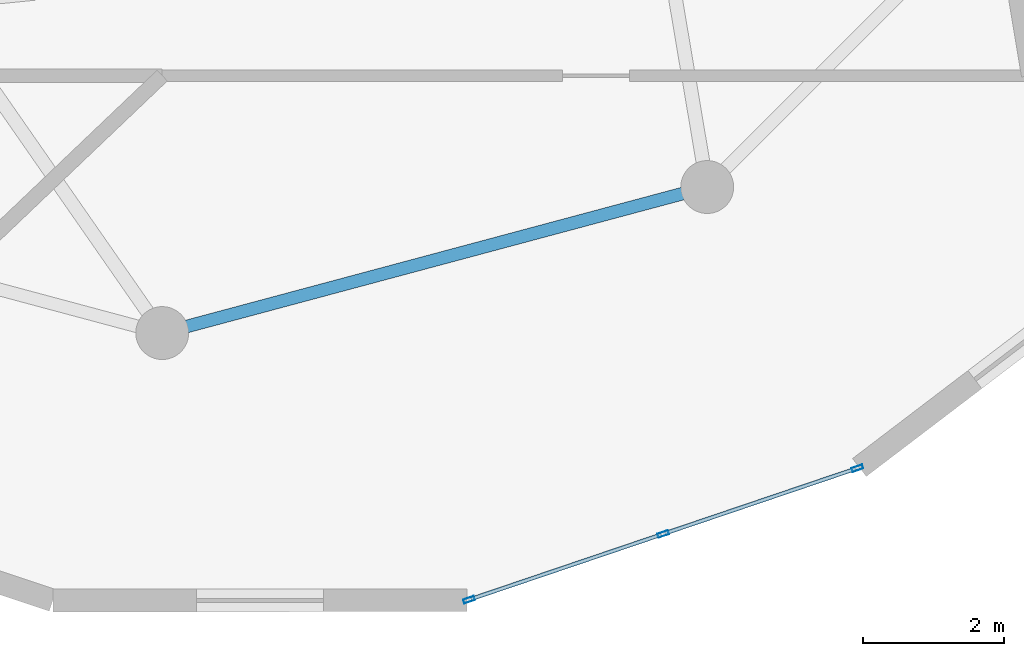
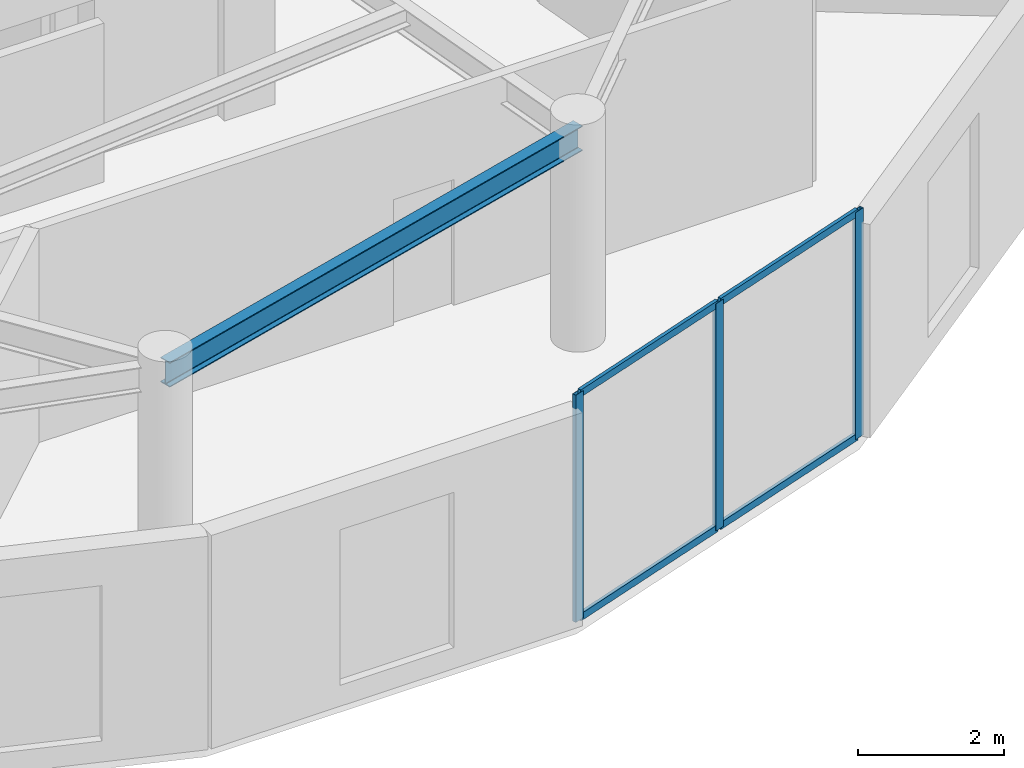
# One storey, part 4 of 18: 7 members, 1 beam, 1 element without a shape of its own.
"""IFC4 building model written with IfcOpenShell, lengths in metres."""

import ifcopenshell
import ifcopenshell.guid

model = None  # the IFC model being written
_history = None  # IfcOwnerHistory: only IFC2X3 demands one
_inside = {}  # id of a spatial element -> (the spatial element, [elements in it])
_under = {}  # id of a project, library or spatial element -> (it, [spatial elements below it])
_declared = {}  # id of a project -> (the project, [libraries it declares])
_typed = {}  # id of a type object -> (the type object, [elements of that type])
_made_of = {}  # id of a material, layer set ... -> (it, [elements and type objects made of it])


def new_model(schema):
    """Start an empty IFC model of exactly this schema.

    Asked for "IFC4X3", IfcOpenShell would pick the latest addendum, in which some entities
    have other attributes; the version numbers below select the first issue.
    IFC2X3 requires an IfcOwnerHistory on every rooted entity: one is made here for all.
    """
    global model, _history
    if schema == "IFC4X3":
        model = ifcopenshell.file(schema_version=(4, 3, 0, 0))
    else:
        model = ifcopenshell.file(schema=schema)
    _inside.clear()
    _under.clear()
    _declared.clear()
    _typed.clear()
    _made_of.clear()
    _history = None
    if model.schema == "IFC2X3":
        org = make("IfcOrganization", Name="unknown")
        user = make(
            "IfcPersonAndOrganization",
            ThePerson=make("IfcPerson", FamilyName="unknown"),
            TheOrganization=org,
        )
        app = make(
            "IfcApplication",
            ApplicationDeveloper=org,
            Version="unknown",
            ApplicationFullName="unknown",
            ApplicationIdentifier="unknown",
        )
        _history = make(
            "IfcOwnerHistory",
            OwningUser=user,
            OwningApplication=app,
            ChangeAction="ADDED",
            CreationDate=0,
        )
    return model


def make(cls, **values):
    """One entity of the class cls with the attributes given. An attribute that is None is left unset."""
    return model.create_entity(
        cls, **{name: value for name, value in values.items() if value is not None}
    )


def rooted(cls, **values):
    """An entity with a GlobalId (a new one), such as an element, a storey or a relation."""
    return make(cls, GlobalId=ifcopenshell.guid.new(), OwnerHistory=_history, **values)


def si_unit(unit_type, name, prefix=None):
    """IfcSIUnit, for example si_unit("LENGTHUNIT", "METRE", prefix="MILLI")."""
    return make("IfcSIUnit", UnitType=unit_type, Prefix=prefix, Name=name)


def assignment(units):
    """IfcUnitAssignment: the units of a project."""
    return None if units is None else make("IfcUnitAssignment", Units=units)


def point(xyz):
    """IfcCartesianPoint."""
    return None if xyz is None else make("IfcCartesianPoint", Coordinates=xyz)


def direction(xyz):
    """IfcDirection."""
    return None if xyz is None else make("IfcDirection", DirectionRatios=xyz)


def frame(location, z_axis=None, x_axis=None):
    """IfcAxis2Placement3D, a coordinate frame: its origin and axes. An axis left out is left unset."""
    return make(
        "IfcAxis2Placement3D",
        Location=point(location),
        Axis=direction(z_axis),
        RefDirection=direction(x_axis),
    )


def frame_2d(location, x_axis=None):
    """IfcAxis2Placement2D, a coordinate frame in the plane: its origin and x axis."""
    return make(
        "IfcAxis2Placement2D", Location=point(location), RefDirection=direction(x_axis)
    )


def origin():
    """The frame at (0, 0, 0) with its axes left unset."""
    return frame((0.0, 0.0, 0.0))


def origin_2d():
    """The frame at (0, 0) in the plane with its x axis left unset."""
    return frame_2d((0.0, 0.0))


def place(relative_to, where):
    """IfcLocalPlacement: puts the frame where relative to a parent placement (None: the world)."""
    return make(
        "IfcLocalPlacement", PlacementRelTo=relative_to, RelativePlacement=where
    )


def context(
    kind, dimensions, precision=None, world=None, true_north=None, identifier=None
):
    """IfcGeometricRepresentationContext, for example the 3D "Model" context."""
    return make(
        "IfcGeometricRepresentationContext",
        ContextIdentifier=identifier,
        ContextType=kind,
        CoordinateSpaceDimension=dimensions,
        Precision=precision,
        WorldCoordinateSystem=world,
        TrueNorth=true_north,
    )


def subcontext(parent, identifier, kind, view, scale=None):
    """IfcGeometricRepresentationSubContext, for example "Body" below "Model"."""
    return make(
        "IfcGeometricRepresentationSubContext",
        ContextIdentifier=identifier,
        ContextType=kind,
        ParentContext=parent,
        TargetScale=scale,
        TargetView=view,
    )


def project(units=None, contexts=None):
    """IfcProject with its units and contexts."""
    return rooted(
        "IfcProject",
        Name="project",
        RepresentationContexts=contexts,
        UnitsInContext=assignment(units),
    )


def spatial(cls, under=None, at=None, **own):
    """A site, building, storey or space (cls), placed at a placement, below another one or the project."""
    s = rooted(cls, ObjectPlacement=at, **own)
    if under is not None:
        _under.setdefault(under.id(), (under, []))[1].append(s)
    return s


def profile(cls, at=None, kind="AREA", **sizes):
    """A parametric profile (cls). Its sizes go by their IFC names, for example OverallWidth=200.0."""
    return make(cls, ProfileType=kind, Position=at, **sizes)


def hollow_rectangle(**sizes):
    """IfcRectangleHollowProfileDef."""
    return profile("IfcRectangleHollowProfileDef", **sizes)


def i_section(**sizes):
    """IfcIShapeProfileDef."""
    return profile("IfcIShapeProfileDef", **sizes)


def extrude(swept, where, along, depth):
    """IfcExtrudedAreaSolid: the profile swept, set in the frame where, extruded along a direction by depth."""
    return make(
        "IfcExtrudedAreaSolid",
        SweptArea=swept,
        Position=where,
        ExtrudedDirection=direction(along),
        Depth=depth,
    )


def shape(context_of_items, identifier, shape_type, items):
    """IfcShapeRepresentation: the items that make up one representation, for example the "Body"."""
    return make(
        "IfcShapeRepresentation",
        ContextOfItems=context_of_items,
        RepresentationIdentifier=identifier,
        RepresentationType=shape_type,
        Items=items,
    )


def source(mapping_origin, context_of_items, identifier, shape_type, items):
    """IfcRepresentationMap: a shape defined once, which mapped items show again and again."""
    return make(
        "IfcRepresentationMap",
        MappingOrigin=mapping_origin,
        MappedRepresentation=shape(context_of_items, identifier, shape_type, items),
    )


def transform(
    local_origin,
    x_axis=None,
    y_axis=None,
    z_axis=None,
    scale=None,
    scale2=None,
    scale3=None,
    uniform=True,
):
    """IfcCartesianTransformationOperator3D, or its non-uniform kind. x_axis, y_axis, z_axis: its Axis1, 2, 3."""
    if uniform:
        return make(
            "IfcCartesianTransformationOperator3D",
            Axis1=direction(x_axis),
            Axis2=direction(y_axis),
            LocalOrigin=point(local_origin),
            Scale=scale,
            Axis3=direction(z_axis),
        )
    return make(
        "IfcCartesianTransformationOperator3DnonUniform",
        Axis1=direction(x_axis),
        Axis2=direction(y_axis),
        LocalOrigin=point(local_origin),
        Scale=scale,
        Axis3=direction(z_axis),
        Scale2=scale2,
        Scale3=scale3,
    )


def mapped(mapping_source, mapping_target):
    """IfcMappedItem: shows the shape of a source again, moved by a transform."""
    return make(
        "IfcMappedItem", MappingSource=mapping_source, MappingTarget=mapping_target
    )


def material(Name=None, Category=None):
    """IfcMaterial."""
    return make("IfcMaterial", Name=Name, Category=Category)


def layer(
    of_material, thickness, ventilated=None, Name=None, Category=None, Priority=None
):
    """IfcMaterialLayer: one layer of a wall or slab, of a material (None: an air gap)."""
    return make(
        "IfcMaterialLayer",
        Material=of_material,
        LayerThickness=thickness,
        IsVentilated=ventilated,
        Name=Name,
        Category=Category,
        Priority=Priority,
    )


def layer_set(layers, Name=None):
    """IfcMaterialLayerSet."""
    return make("IfcMaterialLayerSet", MaterialLayers=layers, LayerSetName=Name)


def material_profile(
    of_material, cross_section, Name=None, Category=None, Priority=None
):
    """IfcMaterialProfile: a cross section and its material."""
    return make(
        "IfcMaterialProfile",
        Name=Name,
        Material=of_material,
        Profile=cross_section,
        Priority=Priority,
        Category=Category,
    )


def profile_set(profiles, Name=None, composite=None):
    """IfcMaterialProfileSet."""
    return make(
        "IfcMaterialProfileSet",
        Name=Name,
        MaterialProfiles=profiles,
        CompositeProfile=composite,
    )


def made_of(thing, what):
    """Note that an element or type object is made of a material, layer set ...; save() writes the relation."""
    if what is not None:
        _made_of.setdefault(what.id(), (what, []))[1].append(thing)
    return thing


def type_object(cls, material=None, **own):
    """A type object (cls), such as IfcWallType, which elements share."""
    return made_of(rooted(cls, **own), material)


def element(
    cls,
    number,
    at=None,
    inside=None,
    cuts=None,
    type_object=None,
    material=None,
    context=None,
    identifier="Body",
    shape_type=None,
    held_by="IfcProductDefinitionShape",
    body=None,
    shapes=None,
    **own,
):
    """One element of the class cls, such as IfcWall. Its Tag is "e" and its number.

    at: its placement. inside: the storey or other place that contains it. cuts: it is an
    opening in that element (IfcRelVoidsElement). A single representation is given by context,
    identifier, shape_type and body (its items); several are given by shapes. held_by: the class
    of the entity that holds the representations. save() writes the other relations.
    """
    e = rooted(cls, Tag="e%d" % number, ObjectPlacement=at, **own)
    if body is not None:
        shapes = [shape(context, identifier, shape_type, body)]
    if shapes is not None:
        e.Representation = make(held_by, Representations=shapes)
    if inside is not None:
        _inside.setdefault(inside.id(), (inside, []))[1].append(e)
    if cuts is not None:
        rooted(
            "IfcRelVoidsElement", RelatingBuildingElement=cuts, RelatedOpeningElement=e
        )
    if type_object is not None:
        _typed.setdefault(type_object.id(), (type_object, []))[1].append(e)
    return made_of(e, material)


def aggregate(whole, parts):
    """IfcRelAggregates: a whole, such as a stair, and the parts it consists of."""
    return rooted("IfcRelAggregates", RelatingObject=whole, RelatedObjects=parts)


def save(model, path):
    """Write the relations noted so far, then the file.

    IfcRelAggregates (storeys below a building ...), IfcRelContainedInSpatialStructure (elements
    in a storey), IfcRelDefinesByType, IfcRelAssociatesMaterial and IfcRelDeclares: one each for
    every whole, place, type object, material and project.
    """
    for whole, parts in _under.values():
        aggregate(whole, parts)
    for where, things in _inside.values():
        rooted(
            "IfcRelContainedInSpatialStructure",
            RelatedElements=things,
            RelatingStructure=where,
        )
    for kind, things in _typed.values():
        rooted("IfcRelDefinesByType", RelatedObjects=things, RelatingType=kind)
    for what, things in _made_of.values():
        rooted("IfcRelAssociatesMaterial", RelatedObjects=things, RelatingMaterial=what)
    for by, libraries in _declared.values():
        rooted("IfcRelDeclares", RelatingContext=by, RelatedDefinitions=libraries)
    model.write(path)


model = new_model("IFC4")

# Units and contexts
model_context = context("Model", 3, precision=1e-05, world=origin(), true_north=direction((0.0, 1.0)))
body_context = subcontext(model_context, "Body", "Model", "MODEL_VIEW")
ifc_project = project(units=[si_unit("LENGTHUNIT", "METRE"), si_unit("AREAUNIT", "SQUARE_METRE"), si_unit("VOLUMEUNIT", "CUBIC_METRE"), si_unit("PLANEANGLEUNIT", "RADIAN"), si_unit("MASSUNIT", "GRAM", prefix="KILO")], contexts=[model_context])

# Site, building, storey
site_placement = place(None, origin())
site = spatial("IfcSite", under=ifc_project, at=site_placement, CompositionType="ELEMENT")
building_placement = place(site_placement, origin())
building = spatial("IfcBuilding", under=site, at=building_placement, Name="Solvirekh Grand Hotel", CompositionType="ELEMENT")
storey_placement = place(building_placement, frame((0.0, 0.0, 250.60009765625)))
storey = spatial("IfcBuildingStorey", under=building, at=storey_placement, Name="L65", CompositionType="ELEMENT", Elevation=250.60009765625)

# Beam
ifc_material_1 = material(Name="Steel S355", Category="steel")
ifc_material_profile_1 = material_profile(ifc_material_1, i_section(OverallWidth=0.180908203125, OverallDepth=0.4169921875, WebThickness=0.010009765625, FlangeThickness=0.01611328125, FilletRadius=0.011962890625, at=origin_2d()), Name="W410X85")
ifc_profile_set_1 = profile_set([ifc_material_profile_1], Name="Steel S355")
beam_type = type_object("IfcBeamType", Name="Spandrel_Ring_W410", PredefinedType="SPANDREL", material=ifc_profile_set_1)
beam_placement = place(storey_placement, frame((0.0, -15.449951171875, 3.36181640625), z_axis=(0.965921616143, 0.258834757072, 0.0), x_axis=(-0.258834757072, 0.965921616143, 0.0)))
element("IfcBeam", 1, at=beam_placement, inside=storey, type_object=beam_type, Name="L65 perimeter spandrel beam 10", PredefinedType="SPANDREL", context=body_context, shape_type="SweptSolid", body=[
    extrude(i_section(OverallWidth=0.180908203125, OverallDepth=0.4169921875, WebThickness=0.010009765625, FlangeThickness=0.01611328125, FilletRadius=0.011962890625, at=origin_2d()), origin(), (0.0, 0.0, 1.0), 7.99755859375),
])

# Curtain wall, members
ifc_material_2 = material(Name="Anodized Bronze Aluminium 6063-T6", Category="aluminium")
ifc_layer = layer(ifc_material_2, 0.159912109375)
ifc_layer_set = layer_set([ifc_layer], Name="Anodized Bronze Aluminium 6063-T6")
curtain_wall_type = type_object("IfcCurtainWallType", Name="CW_Sys4_HighZoneFlushBronzeCW", PredefinedType="NOTDEFINED", material=ifc_layer_set)
curtain_wall_placement = place(storey_placement, origin())
curtain_wall = element("IfcCurtainWall", 2, at=curtain_wall_placement, inside=storey, type_object=curtain_wall_type, Name="L65 unitised bronze-glass curtain wall CW-L65-C01", PredefinedType="NOTDEFINED")
ifc_material_profile_2 = material_profile(ifc_material_2, hollow_rectangle(XDim=0.054931640625, YDim=0.1201171875, WallThickness=0.00390625, at=origin_2d()), Name="ALU RHS 120X55X4")
ifc_profile_set_2 = profile_set([ifc_material_profile_2], Name="Anodized Bronze Aluminium 6063-T6")
member_type_1 = type_object("IfcMemberType", Name="CWTransom_Sys4", PredefinedType="USERDEFINED", material=ifc_profile_set_2)
shared_shape_1 = source(origin(), body_context, "Body", "SweptSolid", [
    extrude(hollow_rectangle(XDim=0.054931640625, YDim=0.1201171875, WallThickness=0.00390625, at=origin_2d()), origin(), (0.0, 0.0, 1.0), 2.845947265625),
])
member_1_placement = place(storey_placement, frame((4.3779296875, -19.220703125, 0.02734375), z_axis=(0.947136587551, 0.32083061656, 0.0), x_axis=(-0.32083061656, 0.947136587551, 0.0)))
member_1 = element("IfcMember", 3, at=member_1_placement, type_object=member_type_1, Name="U04 transom 1.1", ObjectType="TRANSOM", PredefinedType="USERDEFINED", context=body_context, shape_type="MappedRepresentation", body=[
    mapped(shared_shape_1, transform((0.0, 0.0, 0.0), x_axis=(1.0, 0.0, 0.0), y_axis=(0.0, 1.0, 0.0), z_axis=(0.0, 0.0, 1.0), scale=1.0)),
])
member_2_placement = place(storey_placement, frame((4.3779296875, -19.220703125, 3.7724609375), z_axis=(0.947136587551, 0.32083061656, 0.0), x_axis=(-0.32083061656, 0.947136587551, 0.0)))
member_2 = element("IfcMember", 4, at=member_2_placement, type_object=member_type_1, Name="U04 transom 1.2", ObjectType="TRANSOM", PredefinedType="USERDEFINED", context=body_context, shape_type="MappedRepresentation", body=[
    mapped(shared_shape_1, transform((0.0, 0.0, 0.0), x_axis=(1.0, 0.0, 0.0), y_axis=(0.0, 1.0, 0.0), z_axis=(0.0, 0.0, 1.0), scale=1.0)),
])
ifc_material_profile_3 = material_profile(ifc_material_2, hollow_rectangle(XDim=0.06005859375, YDim=0.159912109375, WallThickness=0.0048828125, at=origin_2d()), Name="ALU RHS 160X60X5")
ifc_profile_set_3 = profile_set([ifc_material_profile_3], Name="Anodized Bronze Aluminium 6063-T6")
member_type_2 = type_object("IfcMemberType", Name="CWMullion_Sys4", PredefinedType="MULLION", material=ifc_profile_set_3)
shared_shape_2 = source(origin(), body_context, "Body", "SweptSolid", [
    extrude(hollow_rectangle(XDim=0.06005859375, YDim=0.159912109375, WallThickness=0.0048828125, at=origin_2d()), origin(), (0.0, 0.0, 1.0), 3.7998046875),
])
member_3_placement = place(storey_placement, frame((4.349365234375, -19.23046875, 0.0), z_axis=(0.0, 0.0, 1.0), x_axis=(-0.32082181706, 0.947139568225, 0.0)))
member_3 = element("IfcMember", 5, at=member_3_placement, type_object=member_type_2, Name="U04 mullion 1", PredefinedType="MULLION", context=body_context, shape_type="MappedRepresentation", body=[
    mapped(shared_shape_2, transform((0.0, 0.0, 0.0), x_axis=(1.0, 0.0, 0.0), y_axis=(0.0, 1.0, 0.0), z_axis=(0.0, 0.0, 1.0), scale=1.0)),
])
member_4_placement = place(storey_placement, frame((7.10205078125, -18.298095703125, 0.0), z_axis=(0.0, 0.0, 1.0), x_axis=(-0.32082181706, 0.947139568225, 0.0)))
member_4 = element("IfcMember", 6, at=member_4_placement, type_object=member_type_2, Name="U04 mullion 2", PredefinedType="MULLION", context=body_context, shape_type="MappedRepresentation", body=[
    mapped(shared_shape_2, transform((0.0, 0.0, 0.0), x_axis=(1.0, 0.0, 0.0), y_axis=(0.0, 1.0, 0.0), z_axis=(0.0, 0.0, 1.0), scale=1.0)),
])
member_5_placement = place(storey_placement, frame((9.8544921875, -17.36572265625, 0.0), z_axis=(0.0, 0.0, 1.0), x_axis=(-0.32082181706, 0.947139568225, 0.0)))
member_5 = element("IfcMember", 7, at=member_5_placement, type_object=member_type_2, Name="U04 mullion 3", PredefinedType="MULLION", context=body_context, shape_type="MappedRepresentation", body=[
    mapped(shared_shape_2, transform((0.0, 0.0, 0.0), x_axis=(1.0, 0.0, 0.0), y_axis=(0.0, 1.0, 0.0), z_axis=(0.0, 0.0, 1.0), scale=1.0)),
])
shared_shape_3 = source(origin(), body_context, "Body", "SweptSolid", [
    extrude(hollow_rectangle(XDim=0.054931640625, YDim=0.1201171875, WallThickness=0.00390625, at=origin_2d()), origin(), (0.0, 0.0, 1.0), 2.84619140625),
])
member_6_placement = place(storey_placement, frame((7.13037109375, -18.288330078125, 0.02734375), z_axis=(0.947145416376, 0.320804551462, 0.0), x_axis=(-0.320804551462, 0.947145416376, 0.0)))
member_6 = element("IfcMember", 8, at=member_6_placement, type_object=member_type_1, Name="U04 transom 2.1", ObjectType="TRANSOM", PredefinedType="USERDEFINED", context=body_context, shape_type="MappedRepresentation", body=[
    mapped(shared_shape_3, transform((0.0, 0.0, 0.0), x_axis=(1.0, 0.0, 0.0), y_axis=(0.0, 1.0, 0.0), z_axis=(0.0, 0.0, 1.0), scale=1.0)),
])
member_7_placement = place(storey_placement, frame((7.13037109375, -18.288330078125, 3.7724609375), z_axis=(0.947145416376, 0.320804551462, 0.0), x_axis=(-0.320804551462, 0.947145416376, 0.0)))
member_7 = element("IfcMember", 9, at=member_7_placement, type_object=member_type_1, Name="U04 transom 2.2", ObjectType="TRANSOM", PredefinedType="USERDEFINED", context=body_context, shape_type="MappedRepresentation", body=[
    mapped(shared_shape_3, transform((0.0, 0.0, 0.0), x_axis=(1.0, 0.0, 0.0), y_axis=(0.0, 1.0, 0.0), z_axis=(0.0, 0.0, 1.0), scale=1.0)),
])
aggregate(curtain_wall, [member_3, member_4, member_5, member_1, member_2, member_6, member_7])

save(model, "model.ifc")
